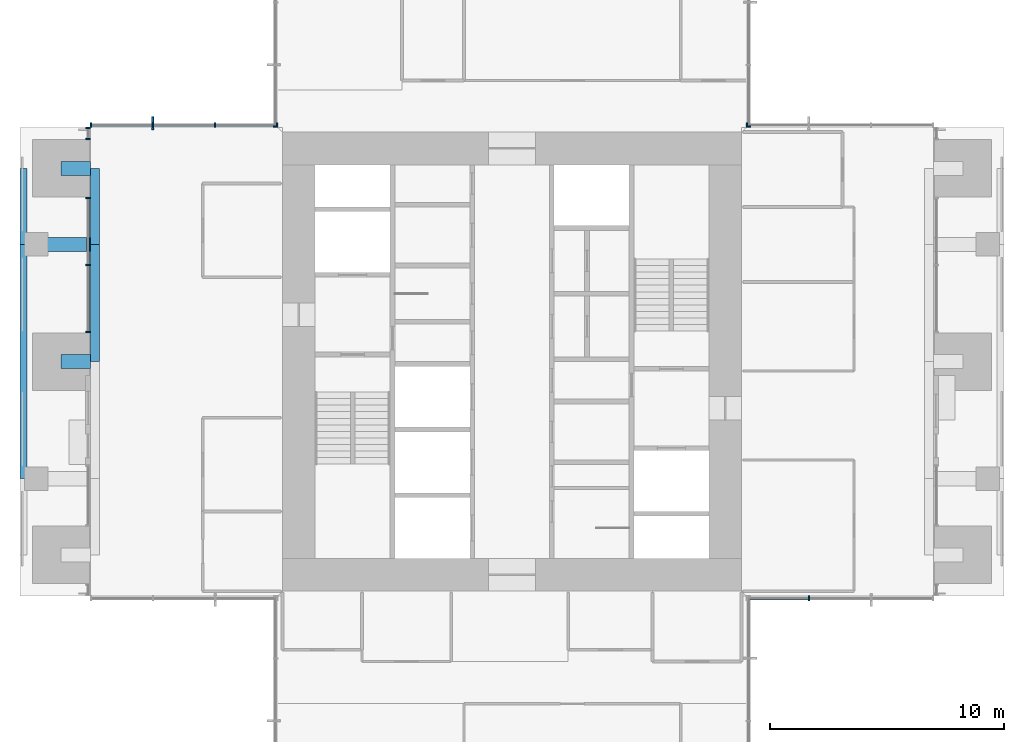
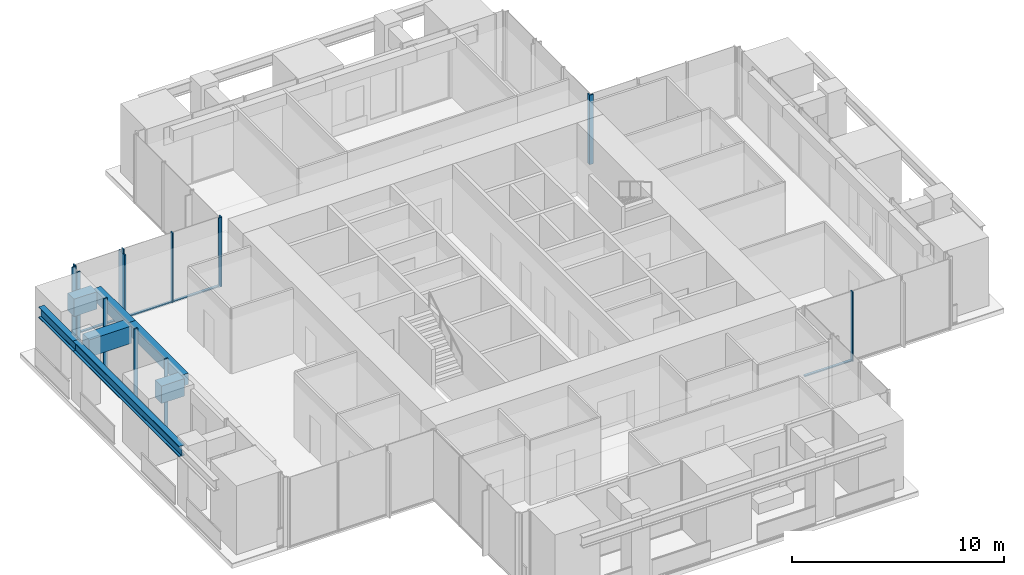
# One storey, part 3 of 17: 20 members, 7 beams, 7 elements without a shape of their own.
"""IFC4 building model written with IfcOpenShell, lengths in metres."""

from ifc_helpers import new_model, si_unit, direction, frame, origin, origin_2d, place, context, subcontext, project, spatial, rectangle, i_section, extrude, material, material_profile, profile_set, type_object, element, aggregate, save


model = new_model("IFC4")

# Units and contexts
model_context = context("Model", 3, precision=1e-05, world=origin(), true_north=direction((0.0, 1.0)))
body_context = subcontext(model_context, "Body", "Model", "MODEL_VIEW")
ifc_project = project(units=[si_unit("LENGTHUNIT", "METRE"), si_unit("AREAUNIT", "SQUARE_METRE"), si_unit("VOLUMEUNIT", "CUBIC_METRE"), si_unit("PLANEANGLEUNIT", "RADIAN"), si_unit("MASSUNIT", "GRAM", prefix="KILO")], contexts=[model_context])

# Site, building, storey
site_placement = place(None, origin())
site = spatial("IfcSite", under=ifc_project, at=site_placement, CompositionType="ELEMENT")
building_placement = place(site_placement, origin())
building = spatial("IfcBuilding", under=site, at=building_placement, Name="Svetlomir Tower", CompositionType="ELEMENT")
storey_placement = place(building_placement, frame((0.0, 0.0, 194.5)))
storey = spatial("IfcBuildingStorey", under=building, at=storey_placement, Name="L46", CompositionType="ELEMENT", Elevation=194.5)

# Curtain wall, member
ifc_material_1 = material(Name="Bronze anodised aluminium curtain wall", Category="aluminium")
curtain_wall_type = type_object("IfcCurtainWallType", Name="CURTAIN WALL CW1 TOWER OFFICE", PredefinedType="NOTDEFINED", material=ifc_material_1)
curtain_wall_1_placement = place(storey_placement, origin())
curtain_wall_1 = element("IfcCurtainWall", 1, at=curtain_wall_1_placement, inside=storey, type_object=curtain_wall_type, Name="Curtain wall CW1 L46", PredefinedType="NOTDEFINED")
ifc_material_2 = material(Name="Bronze anodised aluminium", Category="aluminium")
ifc_material_profile_1 = material_profile(ifc_material_2, rectangle(XDim=0.080078125, YDim=0.550048828125, at=origin_2d()), Name="FIN 80x550")
ifc_profile_set_1 = profile_set([ifc_material_profile_1], Name="Bronze anodised aluminium 6063-T6")
member_type_1 = type_object("IfcMemberType", Name="BRONZE FIN 80x550", PredefinedType="USERDEFINED", material=ifc_profile_set_1)
member_1_placement = place(storey_placement, frame((5.666748046875, 31.175048828125, 0.0), z_axis=(0.0, 0.0, 1.0), x_axis=(1.0, 0.0, 0.0)))
member_1 = element("IfcMember", 2, at=member_1_placement, type_object=member_type_1, Name="Bronze fin L46", ObjectType="FIN", PredefinedType="USERDEFINED", context=body_context, shape_type="SweptSolid", body=[
    extrude(rectangle(XDim=0.080078125, YDim=0.550048828125, at=origin_2d()), origin(), (0.0, 0.0, 1.0), 3.75),
])

curtain_wall_2_placement = place(storey_placement, origin())
curtain_wall_2 = element("IfcCurtainWall", 3, at=curtain_wall_2_placement, inside=storey, type_object=curtain_wall_type, Name="Curtain wall CW1 L46", PredefinedType="NOTDEFINED")
ifc_material_3 = material(Name="Bronze anodised aluminium", Category="aluminium")
ifc_material_profile_2 = material_profile(ifc_material_3, rectangle(XDim=0.06494140625, YDim=0.199951171875, at=origin_2d()), Name="AL 65x200")
ifc_profile_set_2 = profile_set([ifc_material_profile_2], Name="Bronze anodised aluminium 6063-T6")
member_type_2 = type_object("IfcMemberType", Name="CW1 MULLION 65x200", PredefinedType="MULLION", material=ifc_profile_set_2)
member_2_placement = place(storey_placement, frame((33.666748046875, 10.89990234375, 0.0), z_axis=(0.0, 0.0, 1.0), x_axis=(1.0, 0.0, 0.0)))
member_2 = element("IfcMember", 4, at=member_2_placement, type_object=member_type_2, Name="CW1 mullion 2", PredefinedType="MULLION", context=body_context, shape_type="SweptSolid", body=[
    extrude(rectangle(XDim=0.06494140625, YDim=0.199951171875, at=origin_2d()), origin(), (0.0, 0.0, 1.0), 4.0),
])

curtain_wall_3_placement = place(storey_placement, origin())
curtain_wall_3 = element("IfcCurtainWall", 5, at=curtain_wall_3_placement, inside=storey, type_object=curtain_wall_type, Name="Curtain wall CW1 L46", PredefinedType="NOTDEFINED")
member_3_placement = place(storey_placement, frame((31.032470703125, 31.10009765625, 0.0), z_axis=(0.0, 0.0, 1.0), x_axis=(-1.0, 0.0, 0.0)))
member_3 = element("IfcMember", 6, at=member_3_placement, type_object=member_type_2, Name="CW1 mullion 4", PredefinedType="MULLION", context=body_context, shape_type="SweptSolid", body=[
    extrude(rectangle(XDim=0.06494140625, YDim=0.199951171875, at=origin_2d()), origin(), (0.0, 0.0, 1.0), 4.0),
])
aggregate(curtain_wall_3, [member_3])

curtain_wall_4_placement = place(storey_placement, origin())
curtain_wall_4 = element("IfcCurtainWall", 7, at=curtain_wall_4_placement, inside=storey, type_object=curtain_wall_type, Name="Curtain wall CW1 L46", PredefinedType="NOTDEFINED")
member_4_placement = place(storey_placement, frame((31.10009765625, 31.032470703125, 0.0), z_axis=(0.0, 0.0, 1.0), x_axis=(0.0, 1.0, 0.0)))
member_4 = element("IfcMember", 8, at=member_4_placement, type_object=member_type_2, Name="CW1 mullion 1", PredefinedType="MULLION", context=body_context, shape_type="SweptSolid", body=[
    extrude(rectangle(XDim=0.06494140625, YDim=0.199951171875, at=origin_2d()), origin(), (0.0, 0.0, 1.0), 4.0),
])
aggregate(curtain_wall_4, [member_4])

curtain_wall_5_placement = place(storey_placement, origin())
curtain_wall_5 = element("IfcCurtainWall", 9, at=curtain_wall_5_placement, inside=storey, type_object=curtain_wall_type, Name="Curtain wall CW1 L46", PredefinedType="NOTDEFINED")
member_5_placement = place(storey_placement, frame((10.89990234375, 31.032470703125, 0.0), z_axis=(0.0, 0.0, 1.0), x_axis=(0.0, -1.0, 0.0)))
member_5 = element("IfcMember", 10, at=member_5_placement, type_object=member_type_2, Name="CW1 mullion 4", PredefinedType="MULLION", context=body_context, shape_type="SweptSolid", body=[
    extrude(rectangle(XDim=0.06494140625, YDim=0.199951171875, at=origin_2d()), origin(), (0.0, 0.0, 1.0), 4.0),
])
aggregate(curtain_wall_5, [member_5])

# Member
member_6_placement = place(storey_placement, frame((10.967529296875, 31.10009765625, 0.0), z_axis=(0.0, 0.0, 1.0), x_axis=(-1.0, 0.0, 0.0)))
member_6 = element("IfcMember", 11, at=member_6_placement, type_object=member_type_2, Name="CW1 mullion 1", PredefinedType="MULLION", context=body_context, shape_type="SweptSolid", body=[
    extrude(rectangle(XDim=0.06494140625, YDim=0.199951171875, at=origin_2d()), origin(), (0.0, 0.0, 1.0), 4.0),
])

member_7_placement = place(storey_placement, frame((8.333251953125, 31.10009765625, 0.0), z_axis=(0.0, 0.0, 1.0), x_axis=(-1.0, 0.0, 0.0)))
member_7 = element("IfcMember", 12, at=member_7_placement, type_object=member_type_2, Name="CW1 mullion 2", PredefinedType="MULLION", context=body_context, shape_type="SweptSolid", body=[
    extrude(rectangle(XDim=0.06494140625, YDim=0.199951171875, at=origin_2d()), origin(), (0.0, 0.0, 1.0), 4.0),
])

member_8_placement = place(storey_placement, frame((5.666748046875, 31.10009765625, 0.0), z_axis=(0.0, 0.0, 1.0), x_axis=(-1.0, 0.0, 0.0)))
member_8 = element("IfcMember", 13, at=member_8_placement, type_object=member_type_2, Name="CW1 mullion 3", PredefinedType="MULLION", context=body_context, shape_type="SweptSolid", body=[
    extrude(rectangle(XDim=0.06494140625, YDim=0.199951171875, at=origin_2d()), origin(), (0.0, 0.0, 1.0), 4.0),
])

member_9_placement = place(storey_placement, frame((3.032470703125, 31.10009765625, 0.0), z_axis=(0.0, 0.0, 1.0), x_axis=(-1.0, 0.0, 0.0)))
member_9 = element("IfcMember", 14, at=member_9_placement, type_object=member_type_2, Name="CW1 mullion 4", PredefinedType="MULLION", context=body_context, shape_type="SweptSolid", body=[
    extrude(rectangle(XDim=0.06494140625, YDim=0.199951171875, at=origin_2d()), origin(), (0.0, 0.0, 1.0), 4.0),
])

# Curtain wall, members
curtain_wall_6_placement = place(storey_placement, origin())
curtain_wall_6 = element("IfcCurtainWall", 15, at=curtain_wall_6_placement, inside=storey, type_object=curtain_wall_type, Name="Curtain wall CW1 L46", PredefinedType="NOTDEFINED")
member_10_placement = place(storey_placement, frame((2.89990234375, 30.967529296875, 0.0), z_axis=(0.0, 0.0, 1.0), x_axis=(0.0, -1.0, 0.0)))
member_10 = element("IfcMember", 16, at=member_10_placement, type_object=member_type_2, Name="CW1 mullion 1", PredefinedType="MULLION", context=body_context, shape_type="SweptSolid", body=[
    extrude(rectangle(XDim=0.06494140625, YDim=0.199951171875, at=origin_2d()), origin(), (0.0, 0.0, 1.0), 4.0),
])
member_11_placement = place(storey_placement, frame((2.89990234375, 30.507568359375, 0.0), z_axis=(0.0, 0.0, 1.0), x_axis=(0.0, -1.0, 0.0)))
member_11 = element("IfcMember", 17, at=member_11_placement, type_object=member_type_2, Name="CW1 mullion 2", PredefinedType="MULLION", context=body_context, shape_type="SweptSolid", body=[
    extrude(rectangle(XDim=0.06494140625, YDim=0.199951171875, at=origin_2d()), origin(), (0.0, 0.0, 1.0), 4.0),
])
aggregate(curtain_wall_6, [member_10, member_11])

curtain_wall_7_placement = place(storey_placement, origin())
curtain_wall_7 = element("IfcCurtainWall", 18, at=curtain_wall_7_placement, inside=storey, type_object=curtain_wall_type, Name="Curtain wall CW1 L46", PredefinedType="NOTDEFINED")
member_12_placement = place(storey_placement, frame((2.89990234375, 27.992431640625, 0.0), z_axis=(0.0, 0.0, 1.0), x_axis=(0.0, -1.0, 0.0)))
member_12 = element("IfcMember", 19, at=member_12_placement, type_object=member_type_2, Name="CW1 mullion 1", PredefinedType="MULLION", context=body_context, shape_type="SweptSolid", body=[
    extrude(rectangle(XDim=0.06494140625, YDim=0.199951171875, at=origin_2d()), origin(), (0.0, 0.0, 1.0), 4.0),
])
member_13_placement = place(storey_placement, frame((2.89990234375, 25.125, 0.0), z_axis=(0.0, 0.0, 1.0), x_axis=(0.0, -1.0, 0.0)))
member_13 = element("IfcMember", 20, at=member_13_placement, type_object=member_type_2, Name="CW1 mullion 2", PredefinedType="MULLION", context=body_context, shape_type="SweptSolid", body=[
    extrude(rectangle(XDim=0.06494140625, YDim=0.199951171875, at=origin_2d()), origin(), (0.0, 0.0, 1.0), 4.0),
])
member_14_placement = place(storey_placement, frame((2.89990234375, 22.257568359375, 0.0), z_axis=(0.0, 0.0, 1.0), x_axis=(0.0, -1.0, 0.0)))
member_14 = element("IfcMember", 21, at=member_14_placement, type_object=member_type_2, Name="CW1 mullion 3", PredefinedType="MULLION", context=body_context, shape_type="SweptSolid", body=[
    extrude(rectangle(XDim=0.06494140625, YDim=0.199951171875, at=origin_2d()), origin(), (0.0, 0.0, 1.0), 4.0),
])

# Member
ifc_material_4 = material(Name="Bronze anodised aluminium", Category="aluminium")
ifc_material_profile_3 = material_profile(ifc_material_4, rectangle(XDim=0.139892578125, YDim=0.06494140625, at=origin_2d()), Name="AL 140x65")
ifc_profile_set_3 = profile_set([ifc_material_profile_3], Name="Bronze anodised aluminium 6063-T6")
member_type_3 = type_object("IfcMemberType", Name="CW1 TRANSOM 65x140", PredefinedType="USERDEFINED", material=ifc_profile_set_3)
member_15_placement = place(storey_placement, frame((31.06494140625, 10.89990234375, 0.032470703125), z_axis=(1.0, 0.0, 0.0), x_axis=(0.0, 1.0, 0.0)))
member_15 = element("IfcMember", 22, at=member_15_placement, type_object=member_type_3, Name="CW1 transom 1.1", ObjectType="TRANSOM", PredefinedType="USERDEFINED", context=body_context, shape_type="SweptSolid", body=[
    extrude(rectangle(XDim=0.139892578125, YDim=0.06494140625, at=origin_2d()), origin(), (0.0, 0.0, 1.0), 2.5693359375),
])

aggregate(curtain_wall_2, [member_2, member_15])

member_16_placement = place(storey_placement, frame((10.93505859375, 31.10009765625, 0.032470703125), z_axis=(-1.0, 0.0, 0.0), x_axis=(0.0, -1.0, 0.0)))
member_16 = element("IfcMember", 23, at=member_16_placement, type_object=member_type_3, Name="CW1 transom 1.1", ObjectType="TRANSOM", PredefinedType="USERDEFINED", context=body_context, shape_type="SweptSolid", body=[
    extrude(rectangle(XDim=0.139892578125, YDim=0.06494140625, at=origin_2d()), origin(), (0.0, 0.0, 1.0), 2.5693359375),
])

member_17_placement = place(storey_placement, frame((8.30078125, 31.10009765625, 0.032470703125), z_axis=(-1.0, 0.0, 0.0), x_axis=(0.0, -1.0, 0.0)))
member_17 = element("IfcMember", 24, at=member_17_placement, type_object=member_type_3, Name="CW1 transom 2.1", ObjectType="TRANSOM", PredefinedType="USERDEFINED", context=body_context, shape_type="SweptSolid", body=[
    extrude(rectangle(XDim=0.139892578125, YDim=0.06494140625, at=origin_2d()), origin(), (0.0, 0.0, 1.0), 2.6015625),
])

member_18_placement = place(storey_placement, frame((5.63427734375, 31.10009765625, 0.032470703125), z_axis=(-1.0, 0.0, 0.0), x_axis=(0.0, -1.0, 0.0)))
member_18 = element("IfcMember", 25, at=member_18_placement, type_object=member_type_3, Name="CW1 transom 3.1", ObjectType="TRANSOM", PredefinedType="USERDEFINED", context=body_context, shape_type="SweptSolid", body=[
    extrude(rectangle(XDim=0.139892578125, YDim=0.06494140625, at=origin_2d()), origin(), (0.0, 0.0, 1.0), 2.5693359375),
])

aggregate(curtain_wall_1, [member_6, member_7, member_8, member_9, member_16, member_17, member_18, member_1])

member_19_placement = place(storey_placement, frame((2.89990234375, 27.9599609375, 0.032470703125), z_axis=(0.0, -1.0, 0.0), x_axis=(1.0, 0.0, 0.0)))
member_19 = element("IfcMember", 26, at=member_19_placement, type_object=member_type_3, Name="CW1 transom 1.1", ObjectType="TRANSOM", PredefinedType="USERDEFINED", context=body_context, shape_type="SweptSolid", body=[
    extrude(rectangle(XDim=0.139892578125, YDim=0.06494140625, at=origin_2d()), origin(), (0.0, 0.0, 1.0), 2.802490234375),
])

member_20_placement = place(storey_placement, frame((2.89990234375, 25.092529296875, 0.032470703125), z_axis=(0.0, -1.0, 0.0), x_axis=(1.0, 0.0, 0.0)))
member_20 = element("IfcMember", 27, at=member_20_placement, type_object=member_type_3, Name="CW1 transom 2.1", ObjectType="TRANSOM", PredefinedType="USERDEFINED", context=body_context, shape_type="SweptSolid", body=[
    extrude(rectangle(XDim=0.139892578125, YDim=0.06494140625, at=origin_2d()), origin(), (0.0, 0.0, 1.0), 2.802490234375),
])

aggregate(curtain_wall_7, [member_12, member_13, member_14, member_19, member_20])

# Beams
ifc_material_5 = material(Name="Steel S355", Category="steel")
ifc_material_profile_4 = material_profile(ifc_material_5, i_section(OverallWidth=0.304931640625, OverallDepth=0.6201171875, WebThickness=0.02099609375, FlangeThickness=0.0400390625, FilletRadius=0.027099609375, at=origin_2d()), Name="HEM 600")
ifc_profile_set_4 = profile_set([ifc_material_profile_4], Name="Steel S355")
beam_type_1 = type_object("IfcBeamType", Name="EDGE BEAM HEM 600", PredefinedType="SPANDREL", material=ifc_profile_set_4)
beam_1_placement = place(storey_placement, frame((0.152587890625, 16.0, 3.43994140625), z_axis=(0.0, 1.0, 0.0), x_axis=(-1.0, 0.0, 0.0)))
element("IfcBeam", 28, at=beam_1_placement, inside=storey, type_object=beam_type_1, Name="Edge beam 0/16 to 0/26 under L47", PredefinedType="SPANDREL", context=body_context, shape_type="SweptSolid", body=[
    extrude(i_section(OverallWidth=0.304931640625, OverallDepth=0.6201171875, WebThickness=0.02099609375, FlangeThickness=0.0400390625, FilletRadius=0.027099609375, at=origin_2d()), origin(), (0.0, 0.0, 1.0), 10.0),
])
beam_2_placement = place(storey_placement, frame((0.152587890625, 26.0, 3.43994140625), z_axis=(0.0, 1.0, 0.0), x_axis=(-1.0, 0.0, 0.0)))
element("IfcBeam", 29, at=beam_2_placement, inside=storey, type_object=beam_type_1, Name="Edge beam 0/26 to 0/31 under L47", PredefinedType="SPANDREL", context=body_context, shape_type="SweptSolid", body=[
    extrude(i_section(OverallWidth=0.304931640625, OverallDepth=0.6201171875, WebThickness=0.02099609375, FlangeThickness=0.0400390625, FilletRadius=0.027099609375, at=origin_2d()), origin(), (0.0, 0.0, 1.0), 3.25),
])
ifc_material_6 = material(Name="Concrete C60/75", Category="concrete")
ifc_material_profile_5 = material_profile(ifc_material_6, rectangle(XDim=0.39990234375, YDim=0.64990234375, at=origin_2d()), Name="RC 400x650")
ifc_profile_set_5 = profile_set([ifc_material_profile_5], Name="Concrete C60/75")
beam_type_2 = type_object("IfcBeamType", Name="FACADE EDGE BEAM RC 400x650", PredefinedType="BEAM", material=ifc_profile_set_5)
beam_3_placement = place(storey_placement, frame((3.199951171875, 21.0, 3.425048828125), z_axis=(0.0, 1.0, 0.0), x_axis=(-1.0, 0.0, 0.0)))
element("IfcBeam", 30, at=beam_3_placement, inside=storey, type_object=beam_type_2, Name="Facade edge beam W 21 to 26 under L47", PredefinedType="BEAM", context=body_context, shape_type="SweptSolid", body=[
    extrude(rectangle(XDim=0.39990234375, YDim=0.64990234375, at=origin_2d()), origin(), (0.0, 0.0, 1.0), 5.0),
])
beam_4_placement = place(storey_placement, frame((3.199951171875, 26.0, 3.425048828125), z_axis=(0.0, 1.0, 0.0), x_axis=(-1.0, 0.0, 0.0)))
element("IfcBeam", 31, at=beam_4_placement, inside=storey, type_object=beam_type_2, Name="Facade edge beam W 26 to 31 under L47", PredefinedType="BEAM", context=body_context, shape_type="SweptSolid", body=[
    extrude(rectangle(XDim=0.39990234375, YDim=0.64990234375, at=origin_2d()), origin(), (0.0, 0.0, 1.0), 3.25),
])
ifc_material_7 = material(Name="Concrete C60/75", Category="concrete")
ifc_material_profile_6 = material_profile(ifc_material_7, rectangle(XDim=0.60009765625, YDim=1.0, at=origin_2d()), Name="RC 600x1000")
ifc_profile_set_6 = profile_set([ifc_material_profile_6], Name="Concrete C60/75")
beam_type_3 = type_object("IfcBeamType", Name="LOGGIA LINK BEAM RC 600x1000", PredefinedType="BEAM", material=ifc_profile_set_6)
beam_5_placement = place(storey_placement, frame((1.75, 21.0, 3.25), z_axis=(1.0, 0.0, 0.0), x_axis=(0.0, 1.0, 0.0)))
element("IfcBeam", 32, at=beam_5_placement, inside=storey, type_object=beam_type_3, Name="Loggia link beam W 21 under L47", PredefinedType="BEAM", context=body_context, shape_type="SweptSolid", body=[
    extrude(rectangle(XDim=0.60009765625, YDim=1.0, at=origin_2d()), origin(), (0.0, 0.0, 1.0), 1.25),
])
beam_6_placement = place(storey_placement, frame((0.699951171875, 26.0, 3.25), z_axis=(1.0, 0.0, 0.0), x_axis=(0.0, 1.0, 0.0)))
element("IfcBeam", 33, at=beam_6_placement, inside=storey, type_object=beam_type_3, Name="Loggia link beam W 26 under L47", PredefinedType="BEAM", context=body_context, shape_type="SweptSolid", body=[
    extrude(rectangle(XDim=0.60009765625, YDim=1.0, at=origin_2d()), origin(), (0.0, 0.0, 1.0), 2.300048828125),
])
beam_7_placement = place(storey_placement, frame((1.75, 29.25, 3.25), z_axis=(1.0, 0.0, 0.0), x_axis=(0.0, 1.0, 0.0)))
element("IfcBeam", 34, at=beam_7_placement, inside=storey, type_object=beam_type_3, Name="Loggia link beam W 31 under L47", PredefinedType="BEAM", context=body_context, shape_type="SweptSolid", body=[
    extrude(rectangle(XDim=0.60009765625, YDim=1.0, at=origin_2d()), origin(), (0.0, 0.0, 1.0), 1.25),
])

save(model, "model.ifc")
